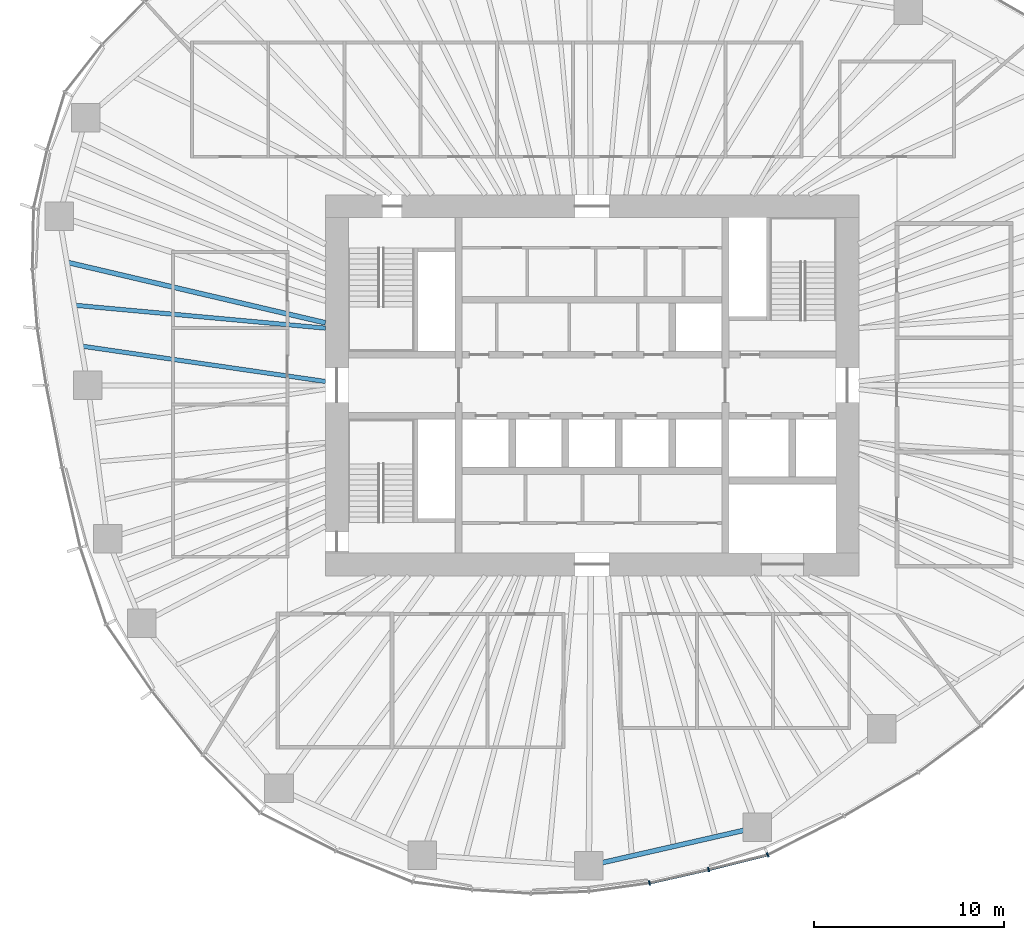
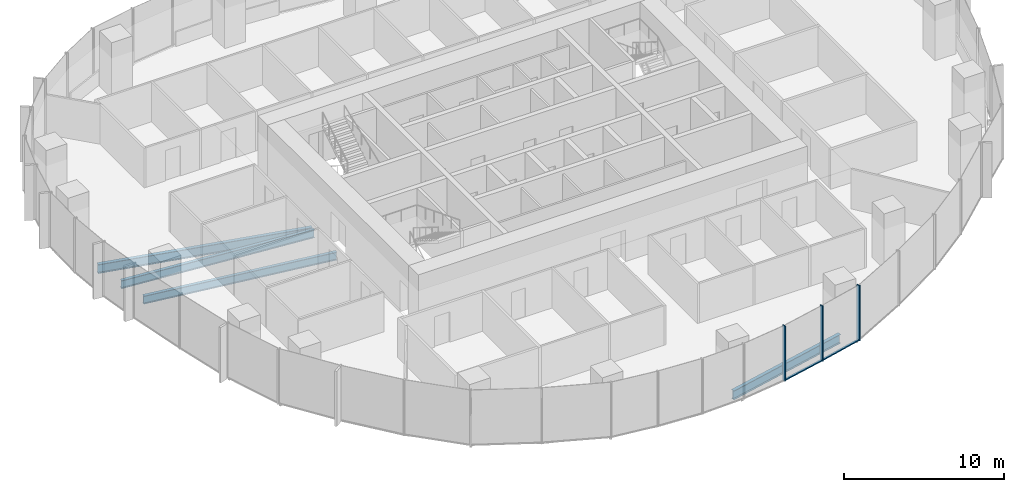
# One storey, part 3 of 18: 5 members, 4 beams, 2 elements without a shape of their own.
"""IFC4 building model written with IfcOpenShell, lengths in metres."""

from ifc_helpers import new_model, si_unit, direction, frame, origin, origin_2d, place, context, subcontext, project, spatial, rectangle, i_section, extrude, material, material_profile, profile_set, type_object, element, aggregate, save


model = new_model("IFC4")

# Units and contexts
model_context = context("Model", 3, precision=1e-05, world=origin(), true_north=direction((0.0, 1.0)))
body_context = subcontext(model_context, "Body", "Model", "MODEL_VIEW")
ifc_project = project(units=[si_unit("LENGTHUNIT", "METRE"), si_unit("AREAUNIT", "SQUARE_METRE"), si_unit("VOLUMEUNIT", "CUBIC_METRE"), si_unit("PLANEANGLEUNIT", "RADIAN"), si_unit("MASSUNIT", "GRAM", prefix="KILO")], contexts=[model_context])

# Site, building, storey
site_placement = place(None, origin())
site = spatial("IfcSite", under=ifc_project, at=site_placement, CompositionType="ELEMENT")
building_placement = place(site_placement, origin())
building = spatial("IfcBuilding", under=site, at=building_placement, Name="Ghaith Harvest Tower", CompositionType="ELEMENT")
storey_placement = place(building_placement, frame((0.0, 0.0, 113.39990234375)))
storey = spatial("IfcBuildingStorey", under=building, at=storey_placement, Name="L23", CompositionType="ELEMENT", Elevation=113.39990234375)

# Curtain wall, members
ifc_material_1 = material(Name="Black anodised aluminium and fritted glass", Category="aluminium")
curtain_wall_type = type_object("IfcCurtainWallType", Name="CW-L CURTAIN WALL", PredefinedType="NOTDEFINED", material=ifc_material_1)
curtain_wall_1_placement = place(storey_placement, origin())
curtain_wall_1 = element("IfcCurtainWall", 1, at=curtain_wall_1_placement, inside=storey, type_object=curtain_wall_type, Name="Curtain wall CW-L bay 16 L23", PredefinedType="NOTDEFINED")
ifc_material_2 = material(Name="Aluminium, black anodised", Category="aluminium")
ifc_material_profile_1 = material_profile(ifc_material_2, rectangle(XDim=0.080078125, YDim=0.239990234375, at=origin_2d()), Name="CW-L MULLION 80x240")
ifc_profile_set_1 = profile_set([ifc_material_profile_1], Name="Aluminium, black anodised")
member_type_1 = type_object("IfcMemberType", Name="CW-L MULLION 80x240", PredefinedType="MULLION", material=ifc_profile_set_1)
member_1_placement = place(storey_placement, frame((3.010009765625, -26.12939453125, 0.0), z_axis=(0.0, 0.0, 1.0), x_axis=(0.983806317978, 0.179234842337, 0.0)))
member_1 = element("IfcMember", 2, at=member_1_placement, type_object=member_type_1, Name="CW-L mullion 2 bay 16 L23", PredefinedType="MULLION", context=body_context, shape_type="SweptSolid", body=[
    extrude(rectangle(XDim=0.080078125, YDim=0.239990234375, at=origin_2d()), origin(), (0.0, 0.0, 1.0), 4.2001953125),
])
member_2_placement = place(storey_placement, frame((6.1201171875, -25.425537109375, 0.0), z_axis=(0.0, 0.0, 1.0), x_axis=(0.972918144681, 0.231149916179, 0.0)))
member_2 = element("IfcMember", 3, at=member_2_placement, type_object=member_type_1, Name="CW-L mullion 3 bay 16 L23", PredefinedType="MULLION", context=body_context, shape_type="SweptSolid", body=[
    extrude(rectangle(XDim=0.080078125, YDim=0.239990234375, at=origin_2d()), origin(), (0.0, 0.0, 1.0), 4.2001953125),
])

# Curtain wall, member
curtain_wall_2_placement = place(storey_placement, origin())
curtain_wall_2 = element("IfcCurtainWall", 4, at=curtain_wall_2_placement, inside=storey, type_object=curtain_wall_type, Name="Curtain wall CW-L bay 17 L23", PredefinedType="NOTDEFINED")
member_3_placement = place(storey_placement, frame((9.216796875, -24.654541015625, 0.0), z_axis=(0.0, 0.0, 1.0), x_axis=(0.929831847154, 0.367984695358, 0.0)))
member_3 = element("IfcMember", 5, at=member_3_placement, type_object=member_type_1, Name="CW-L mullion 1 bay 17 L23", PredefinedType="MULLION", context=body_context, shape_type="SweptSolid", body=[
    extrude(rectangle(XDim=0.080078125, YDim=0.239990234375, at=origin_2d()), origin(), (0.0, 0.0, 1.0), 4.2001953125),
])
aggregate(curtain_wall_2, [member_3])

# Member
ifc_material_3 = material(Name="Aluminium, black anodised", Category="aluminium")
ifc_material_profile_2 = material_profile(ifc_material_3, rectangle(XDim=0.14990234375, YDim=0.080078125, at=origin_2d()), Name="CW-L TRANSOM 150x80")
ifc_profile_set_2 = profile_set([ifc_material_profile_2], Name="Aluminium, black anodised")
member_type_2 = type_object("IfcMemberType", Name="CW-L TRANSOM 150x80", PredefinedType="USERDEFINED", material=ifc_profile_set_2)
member_4_placement = place(storey_placement, frame((3.048828125, -26.120361328125, 0.0400390625), z_axis=(0.975352213651, 0.22065370907, 0.0), x_axis=(-0.22065370907, 0.975352213651, 0.0)))
member_4 = element("IfcMember", 6, at=member_4_placement, type_object=member_type_2, Name="CW-L transom 2 bay 16 L23", ObjectType="TRANSOM", PredefinedType="USERDEFINED", context=body_context, shape_type="SweptSolid", body=[
    extrude(rectangle(XDim=0.14990234375, YDim=0.080078125, at=origin_2d()), origin(), (0.0, 0.0, 1.0), 3.109130859375),
])

member_5_placement = place(storey_placement, frame((6.158935546875, -25.415771484375, 0.0400390625), z_axis=(0.97039125345, 0.241538434265, 0.0), x_axis=(-0.241538434265, 0.97039125345, 0.0)))
member_5 = element("IfcMember", 7, at=member_5_placement, type_object=member_type_2, Name="CW-L transom 3 bay 16 L23", ObjectType="TRANSOM", PredefinedType="USERDEFINED", context=body_context, shape_type="SweptSolid", body=[
    extrude(rectangle(XDim=0.14990234375, YDim=0.080078125, at=origin_2d()), origin(), (0.0, 0.0, 1.0), 3.111083984375),
])

aggregate(curtain_wall_1, [member_1, member_4, member_2, member_5])

# Beams
ifc_material_4 = material(Name="Steel ASTM A992 Grade 50", Category="steel")
ifc_material_profile_3 = material_profile(ifc_material_4, i_section(OverallWidth=0.25390625, OverallDepth=0.68408203125, WebThickness=0.012451171875, FlangeThickness=0.018798828125, at=origin_2d()), Name="W690X140")
ifc_profile_set_3 = profile_set([ifc_material_profile_3], Name="Steel ASTM A992 Grade 50")
beam_type_1 = type_object("IfcBeamType", Name="E690-140 W690X140", PredefinedType="SPANDREL", material=ifc_profile_set_3)
beam_1_placement = place(storey_placement, frame((-0.173095703125, -25.22412109375, -0.511962890625), z_axis=(0.974881709383, 0.22272326486, 0.0), x_axis=(-0.22272326486, 0.974881709383, 0.0)))
element("IfcBeam", 8, at=beam_1_placement, inside=storey, type_object=beam_type_1, Name="Edge beam E16 L23", PredefinedType="SPANDREL", context=body_context, shape_type="SweptSolid", body=[
    extrude(i_section(OverallWidth=0.25390625, OverallDepth=0.68408203125, WebThickness=0.012451171875, FlangeThickness=0.018798828125, at=origin_2d()), origin(), (0.0, 0.0, 1.0), 9.0751953125),
])
ifc_material_5 = material(Name="Steel ASTM A992 Grade 50", Category="steel")
ifc_material_profile_4 = material_profile(ifc_material_5, i_section(OverallWidth=0.22900390625, OverallDepth=0.612060546875, WebThickness=0.011962890625, FlangeThickness=0.01953125, at=origin_2d()), Name="W610X125")
ifc_profile_set_4 = profile_set([ifc_material_profile_4], Name="Steel ASTM A992 Grade 50")
beam_type_2 = type_object("IfcBeamType", Name="J610-125 W610X125", PredefinedType="JOIST", material=ifc_profile_set_4)
beam_2_placement = place(storey_placement, frame((-14.0, 3.0, -0.475830078125), z_axis=(-0.995849123151, 0.091019360137, 0.0), x_axis=(-0.091019360137, -0.995849123151, 0.0)))
element("IfcBeam", 9, at=beam_2_placement, inside=storey, type_object=beam_type_2, Name="Joist J10.2 L23", PredefinedType="JOIST", context=body_context, shape_type="SweptSolid", body=[
    extrude(i_section(OverallWidth=0.22900390625, OverallDepth=0.612060546875, WebThickness=0.011962890625, FlangeThickness=0.01953125, at=origin_2d()), origin(), (0.0, 0.0, 1.0), 13.2451171875),
])
beam_3_placement = place(storey_placement, frame((-14.0, 0.199951171875, -0.475830078125), z_axis=(-0.989622120656, 0.143694322465, 0.0), x_axis=(-0.143694322465, -0.989622120656, 0.0)))
element("IfcBeam", 10, at=beam_3_placement, inside=storey, type_object=beam_type_2, Name="Joist J10.3 L23", PredefinedType="JOIST", context=body_context, shape_type="SweptSolid", body=[
    extrude(i_section(OverallWidth=0.22900390625, OverallDepth=0.612060546875, WebThickness=0.011962890625, FlangeThickness=0.01953125, at=origin_2d()), origin(), (0.0, 0.0, 1.0), 12.960205078125),
])
ifc_material_6 = material(Name="Steel ASTM A992 Grade 50", Category="steel")
ifc_material_profile_5 = material_profile(ifc_material_6, i_section(OverallWidth=0.25390625, OverallDepth=0.68408203125, WebThickness=0.012451171875, FlangeThickness=0.018798828125, at=origin_2d()), Name="W690X140")
ifc_profile_set_5 = profile_set([ifc_material_profile_5], Name="Steel ASTM A992 Grade 50")
beam_type_3 = type_object("IfcBeamType", Name="J690-140 W690X140", PredefinedType="JOIST", material=ifc_profile_set_5)
beam_4_placement = place(storey_placement, frame((-14.0, 3.280517578125, -0.511962890625), z_axis=(-0.973623240284, 0.228161753978, 0.0), x_axis=(-0.228161753978, -0.973623240284, 0.0)))
element("IfcBeam", 11, at=beam_4_placement, inside=storey, type_object=beam_type_3, Name="Joist J10.1 L23", PredefinedType="JOIST", context=body_context, shape_type="SweptSolid", body=[
    extrude(i_section(OverallWidth=0.25390625, OverallDepth=0.68408203125, WebThickness=0.012451171875, FlangeThickness=0.018798828125, at=origin_2d()), origin(), (0.0, 0.0, 1.0), 13.94140625),
])

save(model, "model.ifc")
